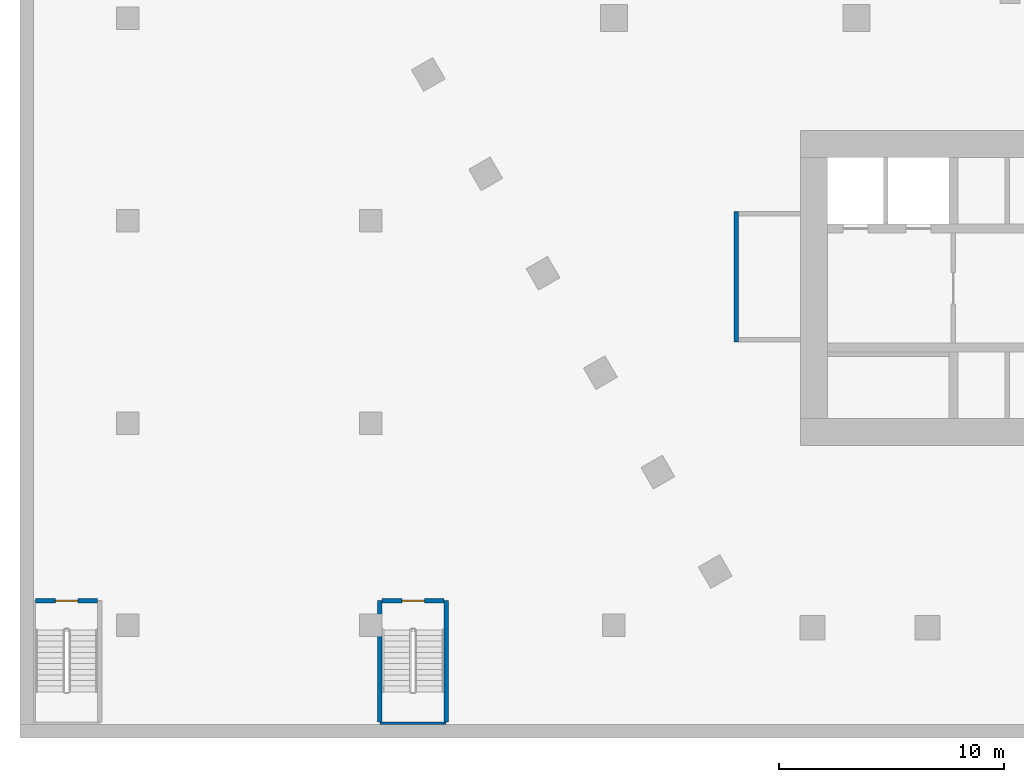
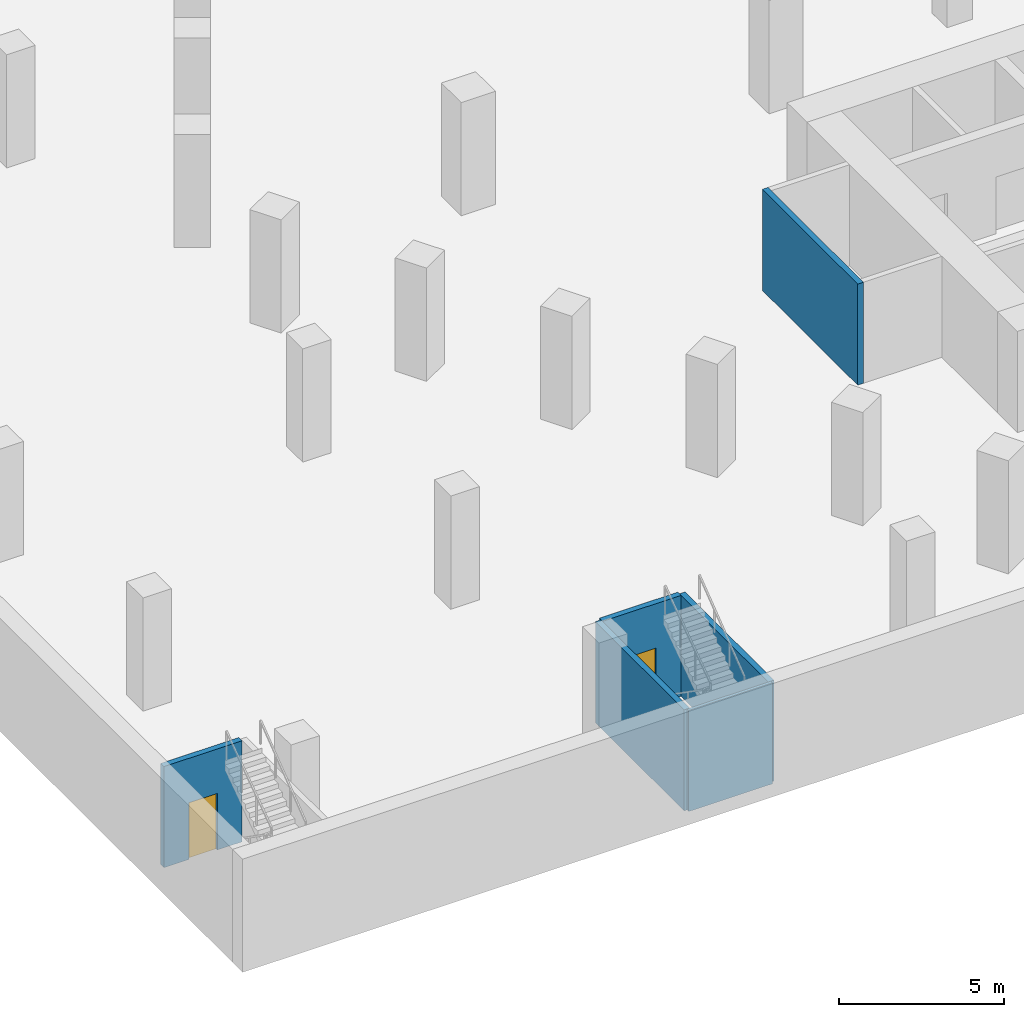
# One storey, part 3 of 20: 6 walls, 2 doors, 2 openings.
"""IFC4 building model written with IfcOpenShell, lengths in metres."""

from ifc_helpers import new_model, si_unit, direction, frame, frame_2d, origin, place, context, subcontext, project, spatial, rectangle, extrude, material, layer, layer_set, type_object, element, fill, save


model = new_model("IFC4")

# Units and contexts
model_context = context("Model", 3, precision=1e-05, world=origin(), true_north=direction((0.0, 1.0)))
body_context = subcontext(model_context, "Body", "Model", "MODEL_VIEW")
ifc_project = project(units=[si_unit("LENGTHUNIT", "METRE"), si_unit("AREAUNIT", "SQUARE_METRE"), si_unit("VOLUMEUNIT", "CUBIC_METRE"), si_unit("PLANEANGLEUNIT", "RADIAN"), si_unit("MASSUNIT", "GRAM", prefix="KILO")], contexts=[model_context])

# Site, building, storey
site_placement = place(None, origin())
site = spatial("IfcSite", under=ifc_project, at=site_placement, CompositionType="ELEMENT")
building_placement = place(site_placement, origin())
building = spatial("IfcBuilding", under=site, at=building_placement, Name="Beryl Residences", CompositionType="ELEMENT")
storey_placement = place(building_placement, frame((0.0, 0.0, -4.199951171875)))
storey = spatial("IfcBuildingStorey", under=building, at=storey_placement, Name="B1", CompositionType="ELEMENT", Elevation=-4.199951171875)

# Wall, opening, door
ifc_material_1 = material(Name="Concrete C40/50", Category="concrete")
ifc_layer_1 = layer(ifc_material_1, 0.199951171875)
ifc_layer_set_1 = layer_set([ifc_layer_1], Name="PT5 stair enclosure wall 200 mm reinforced concrete C40/50")
wall_type_1 = type_object("IfcWallType", Name="PT5 stair enclosure wall 200 mm reinforced concrete C40/50", PredefinedType="SOLIDWALL", material=ifc_layer_set_1)
wall_1_placement = place(storey_placement, frame((-47.300048828125, -25.89990234375, 0.0), z_axis=(0.0, 0.0, 1.0), x_axis=(1.0, 0.0, 0.0)))
wall_1 = element("IfcWall", 1, at=wall_1_placement, inside=storey, type_object=wall_type_1, Name="Wall PT5 B1 001", PredefinedType="SOLIDWALL", context=body_context, shape_type="SweptSolid", body=[
    extrude(rectangle(XDim=2.75, YDim=0.199951171875, at=frame_2d((1.375, 0.0))), origin(), (0.0, 0.0, 1.0), 3.75),
])
opening_1_placement = place(wall_1_placement, frame((1.875, 0.0, 0.0), z_axis=(0.0, 0.0, 1.0), x_axis=(-1.0, 0.0, 0.0)))
opening_1 = element("IfcOpeningElement", 2, at=opening_1_placement, cuts=wall_1, Name="Opening B1-04", PredefinedType="OPENING", context=body_context, shape_type="SweptSolid", body=[
    extrude(rectangle(XDim=1.0, YDim=2.10009765625, at=frame_2d((0.5, 1.050048828125))), frame((0.0, 0.10986328125, 0.0), z_axis=(0.0, -1.0, 0.0), x_axis=(1.0, 0.0, 0.0)), (0.0, 0.0, 1.0), 0.219970703125),
])
ifc_material_2 = material(Name="Steel door leaf in steel frame", Category="steel")
door_type = type_object("IfcDoorType", Name="D15 stair door 1000 x 2100 mm", OperationType="SINGLE_SWING_LEFT", PredefinedType="DOOR", material=ifc_material_2)
door_1_placement = place(opening_1_placement, origin())
door_1 = element("IfcDoor", 3, at=door_1_placement, inside=storey, type_object=door_type, Name="Door B1-04 B1 001", OperationType="SINGLE_SWING_LEFT", OverallHeight=2.10009765625, OverallWidth=1.0, PredefinedType="DOOR", context=body_context, shape_type="SweptSolid", body=[
    extrude(rectangle(XDim=1.0, YDim=2.10009765625, at=frame_2d((0.5, 1.050048828125))), frame((0.0, 0.02490234375, 0.0), z_axis=(0.0, -1.0, 0.0), x_axis=(1.0, 0.0, 0.0)), (0.0, 0.0, 1.0), 0.050048828125),
])
fill(opening_1, door_1)

wall_2_placement = place(storey_placement, frame((-31.89990234375, -25.89990234375, 0.0), z_axis=(0.0, 0.0, 1.0), x_axis=(1.0, 0.0, 0.0)))
wall_2 = element("IfcWall", 4, at=wall_2_placement, inside=storey, type_object=wall_type_1, Name="Wall PT5 B1 002", PredefinedType="SOLIDWALL", context=body_context, shape_type="SweptSolid", body=[
    extrude(rectangle(XDim=2.75, YDim=0.199951171875, at=frame_2d((1.375, 0.0))), origin(), (0.0, 0.0, 1.0), 3.75),
])
opening_2_placement = place(wall_2_placement, frame((1.875, 0.0, 0.0), z_axis=(0.0, 0.0, 1.0), x_axis=(-1.0, 0.0, 0.0)))
opening_2 = element("IfcOpeningElement", 5, at=opening_2_placement, cuts=wall_2, Name="Opening B1-05", PredefinedType="OPENING", context=body_context, shape_type="SweptSolid", body=[
    extrude(rectangle(XDim=1.0, YDim=2.10009765625, at=frame_2d((0.5, 1.050048828125))), frame((0.0, 0.10986328125, 0.0), z_axis=(0.0, -1.0, 0.0), x_axis=(1.0, 0.0, 0.0)), (0.0, 0.0, 1.0), 0.219970703125),
])
door_2_placement = place(opening_2_placement, origin())
door_2 = element("IfcDoor", 6, at=door_2_placement, inside=storey, type_object=door_type, Name="Door B1-05 B1 001", OperationType="SINGLE_SWING_RIGHT", OverallHeight=2.10009765625, OverallWidth=1.0, PredefinedType="DOOR", context=body_context, shape_type="SweptSolid", body=[
    extrude(rectangle(XDim=1.0, YDim=2.10009765625, at=frame_2d((0.5, 1.050048828125))), frame((0.0, 0.02490234375, 0.0), z_axis=(0.0, -1.0, 0.0), x_axis=(1.0, 0.0, 0.0)), (0.0, 0.0, 1.0), 0.050048828125),
])
fill(opening_2, door_2)

# Walls
for number, where, z_axis, x_axis, name in (
    (7, (-32.0, -31.300048828125, 0.0), (0.0, 0.0, 1.0), (0.0, 1.0, 0.0), "Wall PT5 B1 009"),
    (8, (-29.050048828125, -31.300048828125, 0.0), (0.0, 0.0, 1.0), (0.0, 1.0, 0.0), "Wall PT5 B1 010"),
):
    element("IfcWall", number, at=place(storey_placement, frame(where, z_axis=z_axis, x_axis=x_axis)), inside=storey, type_object=wall_type_1, Name=name, PredefinedType="SOLIDWALL", context=body_context, shape_type="SweptSolid", body=[
        extrude(rectangle(XDim=5.400146484375, YDim=0.199951171875, at=frame_2d((2.7001953125, 0.0))), origin(), (0.0, 0.0, 1.0), 3.75),
    ])
wall_3_placement = place(storey_placement, frame((-16.14990234375, -14.39990234375, 0.0), z_axis=(0.0, 0.0, 1.0), x_axis=(0.0, 1.0, 0.0)))
element("IfcWall", 9, at=wall_3_placement, inside=storey, type_object=wall_type_1, Name="Stair wall 01", PredefinedType="SOLIDWALL", context=body_context, shape_type="SweptSolid", body=[
    extrude(rectangle(XDim=5.7998046875, YDim=0.199951171875, at=frame_2d((2.89990234375, 0.0))), origin(), (0.0, 0.0, 1.0), 3.75),
])
ifc_material_3 = material(Name="Concrete C40/50", Category="concrete")
ifc_layer_2 = layer(ifc_material_3, 0.10009765625)
ifc_layer_set_2 = layer_set([ifc_layer_2], Name="PT5-100 stair enclosure wall 100 mm")
wall_type_2 = type_object("IfcWallType", Name="PT5-100 stair enclosure wall 100 mm", PredefinedType="SOLIDWALL", material=ifc_layer_set_2)
wall_4_placement = place(storey_placement, frame((-32.0, -31.35009765625, 0.0), z_axis=(0.0, 0.0, 1.0), x_axis=(1.0, 0.0, 0.0)))
element("IfcWall", 10, at=wall_4_placement, inside=storey, type_object=wall_type_2, Name="Wall PT5-100 B1 008", PredefinedType="SOLIDWALL", context=body_context, shape_type="SweptSolid", body=[
    extrude(rectangle(XDim=2.949951171875, YDim=0.10009765625, at=frame_2d((1.47509765625, 0.0))), origin(), (0.0, 0.0, 1.0), 3.75),
])

save(model, "model.ifc")
